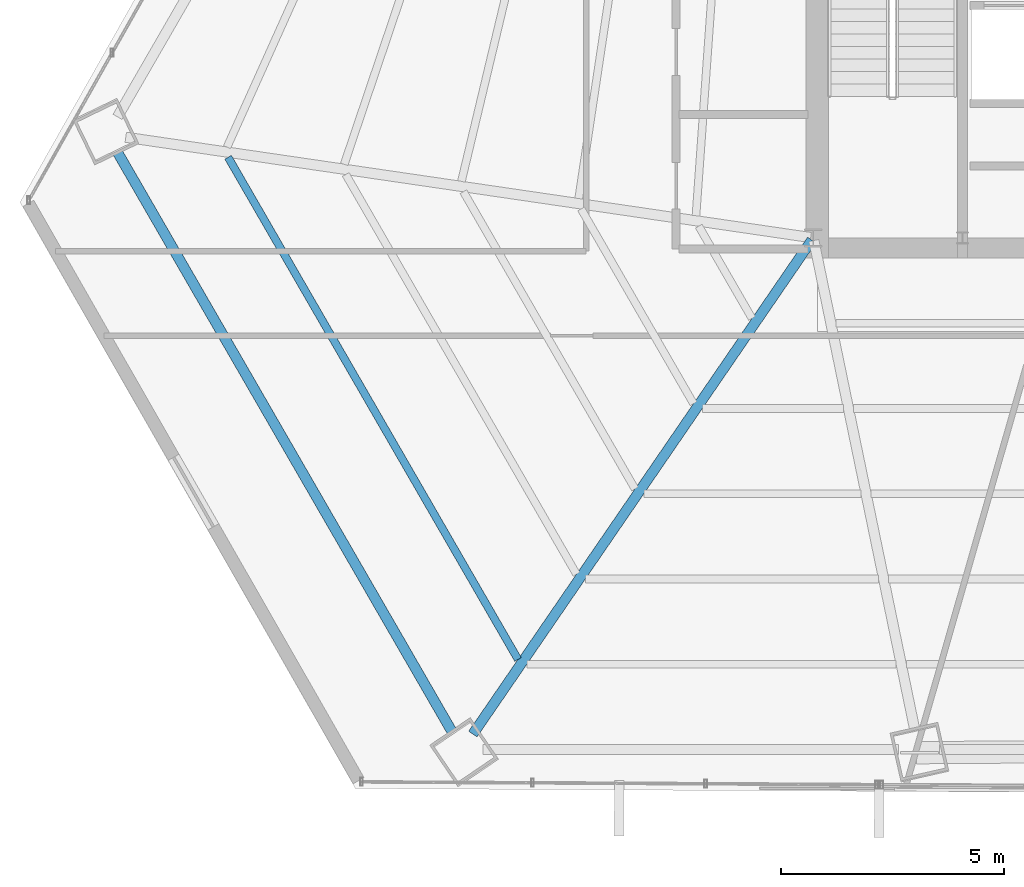
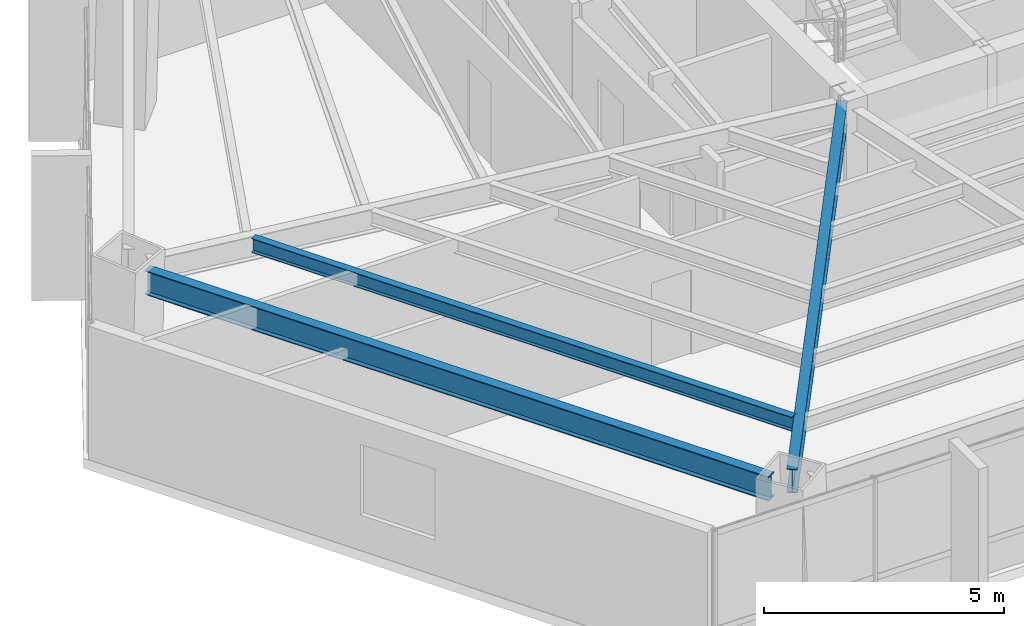
# One storey, part 5 of 36: 3 beams.
"""IFC4 building model written with IfcOpenShell, lengths in metres."""

from ifc_helpers import new_model, si_unit, direction, frame, origin, origin_2d, place, context, subcontext, project, spatial, i_section, extrude, source, transform, mapped, material, material_profile, profile_set, type_object, type_shapes, element, save


model = new_model("IFC4")

# Units and contexts
model_context = context("Model", 3, precision=1e-05, world=origin(), true_north=direction((0.0, 1.0)))
body_context = subcontext(model_context, "Body", "Model", "MODEL_VIEW")
ifc_project = project(units=[si_unit("LENGTHUNIT", "METRE"), si_unit("AREAUNIT", "SQUARE_METRE"), si_unit("VOLUMEUNIT", "CUBIC_METRE"), si_unit("PLANEANGLEUNIT", "RADIAN"), si_unit("MASSUNIT", "GRAM", prefix="KILO")], contexts=[model_context])

# Site, building, storey
site_placement = place(None, origin())
site = spatial("IfcSite", under=ifc_project, at=site_placement, CompositionType="ELEMENT")
building_placement = place(site_placement, origin())
building = spatial("IfcBuilding", under=site, at=building_placement, Name="Caelisora Broadcast Tower", CompositionType="ELEMENT")
storey_placement = place(building_placement, frame((0.0, 0.0, 79.85009765625)))
storey = spatial("IfcBuildingStorey", under=building, at=storey_placement, Name="L20", CompositionType="ELEMENT", Elevation=79.85009765625)

# Beams
ifc_material = material(Name="Steel Grade 350 (AS/NZS 3679.1)", Category="steel")
ifc_material_profile_1 = material_profile(ifc_material, i_section(OverallWidth=0.22900390625, OverallDepth=0.611572265625, WebThickness=0.011962890625, FlangeThickness=0.01953125, at=origin_2d()), Name="Steel Grade 350 (AS/NZS 3679.1)")
ifc_profile_set_1 = profile_set([ifc_material_profile_1], Name="Steel Grade 350 (AS/NZS 3679.1)")
beam_type_1 = type_object("IfcBeamType", Name="PG03", PredefinedType="BEAM", material=ifc_profile_set_1)
shared_shape_1 = source(origin(), body_context, "Body", "SweptSolid", [
    extrude(i_section(OverallWidth=0.22900390625, OverallDepth=0.611572265625, WebThickness=0.011962890625, FlangeThickness=0.01953125, at=origin_2d()), origin(), (0.0, 0.0, 1.0), 15.0322265625),
])
type_shapes(beam_type_1, [shared_shape_1])
beam_1_placement = place(storey_placement, frame((14.86865234375, 19.323974609375, 3.093994140625), z_axis=(0.499999410398, -0.866025744191, 0.0), x_axis=(0.866025744191, 0.499999410398, 0.0)))
element("IfcBeam", 1, at=beam_1_placement, inside=storey, type_object=beam_type_1, Name="L20 beam PG03", PredefinedType="BEAM", context=body_context, shape_type="MappedRepresentation", body=[
    mapped(shared_shape_1, transform((0.0, 0.0, 0.0), scale=1.0)),
])
ifc_material_profile_2 = material_profile(ifc_material, i_section(OverallWidth=0.22802734375, OverallDepth=0.602294921875, WebThickness=0.010498046875, FlangeThickness=0.014892578125, at=origin_2d()), Name="Steel Grade 350 (AS/NZS 3679.1)")
ifc_profile_set_2 = profile_set([ifc_material_profile_2], Name="Steel Grade 350 (AS/NZS 3679.1)")
beam_type_2 = type_object("IfcBeamType", Name="PG04", PredefinedType="BEAM", material=ifc_profile_set_2)
shared_shape_2 = source(origin(), body_context, "Body", "SweptSolid", [
    extrude(i_section(OverallWidth=0.22802734375, OverallDepth=0.602294921875, WebThickness=0.010498046875, FlangeThickness=0.014892578125, at=origin_2d()), origin(), (0.0, 0.0, 1.0), 13.4580078125),
])
type_shapes(beam_type_2, [shared_shape_2])
beam_2_placement = place(storey_placement, frame((30.466064453125, 17.3505859375, 3.098876953125), z_axis=(-0.565744799035, -0.824580391693, 0.0), x_axis=(0.824580391693, -0.565744799035, 0.0)))
element("IfcBeam", 2, at=beam_2_placement, inside=storey, type_object=beam_type_2, Name="L20 beam PG04", PredefinedType="BEAM", context=body_context, shape_type="MappedRepresentation", body=[
    mapped(shared_shape_2, transform((0.0, 0.0, 0.0), scale=1.0)),
])
ifc_material_profile_3 = material_profile(ifc_material, i_section(OverallWidth=0.172119140625, OverallDepth=0.358642578125, WebThickness=0.008056640625, FlangeThickness=0.012939453125, at=origin_2d()), Name="Steel Grade 350 (AS/NZS 3679.1)")
ifc_profile_set_3 = profile_set([ifc_material_profile_3], Name="Steel Grade 350 (AS/NZS 3679.1)")
beam_type_3 = type_object("IfcBeamType", Name="SB02", PredefinedType="JOIST", material=ifc_profile_set_3)
shared_shape_3 = source(origin(), body_context, "Body", "SweptSolid", [
    extrude(i_section(OverallWidth=0.172119140625, OverallDepth=0.358642578125, WebThickness=0.008056640625, FlangeThickness=0.012939453125, at=origin_2d()), origin(), (0.0, 0.0, 1.0), 13.028076171875),
])
type_shapes(beam_type_3, [shared_shape_3])
beam_3_placement = place(storey_placement, frame((17.353271484375, 19.212158203125, 3.220703125), z_axis=(0.499990648824, -0.866030802621, 0.0), x_axis=(0.866030802621, 0.499990648824, 0.0)))
element("IfcBeam", 3, at=beam_3_placement, inside=storey, type_object=beam_type_3, Name="L20 beam SB02", PredefinedType="JOIST", context=body_context, shape_type="MappedRepresentation", body=[
    mapped(shared_shape_3, transform((0.0, 0.0, 0.0), scale=1.0)),
])

save(model, "model.ifc")
